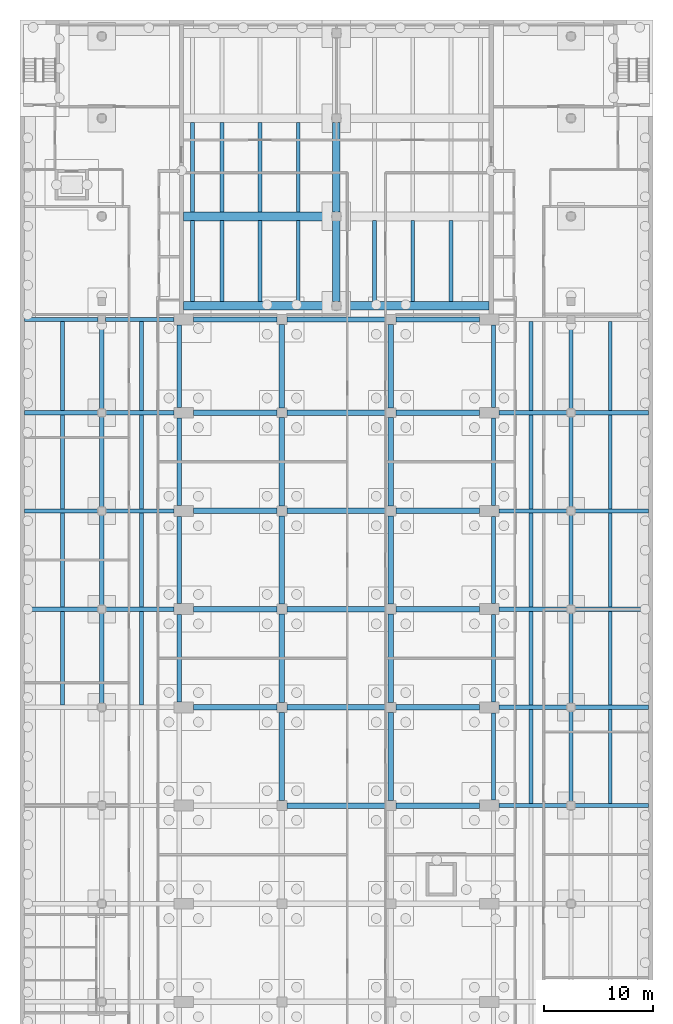
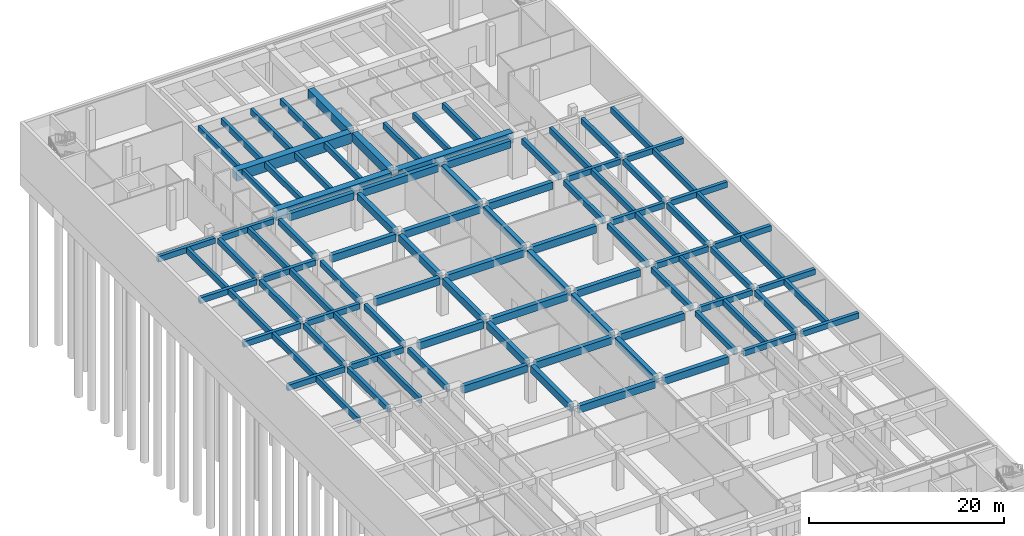
# One storey, part 5 of 19: 97 beams.
"""IFC4 building model written with IfcOpenShell, lengths in metres."""

from ifc_helpers import new_model, si_unit, direction, frame, origin, origin_2d, place, context, subcontext, project, spatial, rectangle, extrude, material, material_profile, profile_set, type_object, element, save


model = new_model("IFC4")

# Units and contexts
model_context = context("Model", 3, precision=1e-05, world=origin(), true_north=direction((0.0, 1.0)))
body_context = subcontext(model_context, "Body", "Model", "MODEL_VIEW")
ifc_project = project(units=[si_unit("LENGTHUNIT", "METRE"), si_unit("AREAUNIT", "SQUARE_METRE"), si_unit("VOLUMEUNIT", "CUBIC_METRE"), si_unit("PLANEANGLEUNIT", "RADIAN"), si_unit("MASSUNIT", "GRAM", prefix="KILO")], contexts=[model_context])

# Site, building, storey
site_placement = place(None, origin())
site = spatial("IfcSite", under=ifc_project, at=site_placement, CompositionType="ELEMENT")
building_placement = place(site_placement, origin())
building = spatial("IfcBuilding", under=site, at=building_placement, Name="Elmora Arch Market Hall", CompositionType="ELEMENT")
storey_placement = place(building_placement, frame((0.0, 0.0, -10.0)))
storey = spatial("IfcBuildingStorey", under=building, at=storey_placement, Name="B1", CompositionType="ELEMENT", Elevation=-10.0)

# Beams
ifc_material_1 = material(Name="Concrete C32/40", Category="concrete")
ifc_material_profile_1 = material_profile(ifc_material_1, rectangle(XDim=0.5, YDim=0.89990234375, at=origin_2d()), Name="Basement girder 500x900")
ifc_profile_set_1 = profile_set([ifc_material_profile_1], Name="Concrete C32/40")
beam_type_1 = type_object("IfcBeamType", Name="Basement girder 500x900", PredefinedType="BEAM", material=ifc_profile_set_1)
beam_1_placement = place(storey_placement, frame((24.449951171875, 54.0, 4.25), z_axis=(1.0, 0.0, 0.0), x_axis=(0.0, 1.0, 0.0)))
element("IfcBeam", 1, at=beam_1_placement, inside=storey, type_object=beam_type_1, Name="Basement girder HR4 B1.2", PredefinedType="BEAM", context=body_context, shape_type="SweptSolid", body=[
    extrude(rectangle(XDim=0.5, YDim=0.89990234375, at=origin_2d()), origin(), (0.0, 0.0, 1.0), 9.10009765625),
])
for number, where, z_axis, x_axis, name in (
    (2, (34.449951171875, 54.0, 4.25), (1.0, 0.0, 0.0), (0.0, 1.0, 0.0), "Basement girder HR4 B1.3"),
    (3, (15.89990234375, 63.0, 4.25), (1.0, 0.0, 0.0), (0.0, 1.0, 0.0), "Basement girder HR5 B1.1"),
):
    element("IfcBeam", number, at=place(storey_placement, frame(where, z_axis=z_axis, x_axis=x_axis)), inside=storey, type_object=beam_type_1, Name=name, PredefinedType="BEAM", context=body_context, shape_type="SweptSolid", body=[
        extrude(rectangle(XDim=0.5, YDim=0.89990234375, at=origin_2d()), origin(), (0.0, 0.0, 1.0), 7.650146484375),
    ])
beam_2_placement = place(storey_placement, frame((24.449951171875, 63.0, 4.25), z_axis=(1.0, 0.0, 0.0), x_axis=(0.0, 1.0, 0.0)))
element("IfcBeam", 4, at=beam_2_placement, inside=storey, type_object=beam_type_1, Name="Basement girder HR5 B1.2", PredefinedType="BEAM", context=body_context, shape_type="SweptSolid", body=[
    extrude(rectangle(XDim=0.5, YDim=0.89990234375, at=origin_2d()), origin(), (0.0, 0.0, 1.0), 9.10009765625),
])
for number, where, z_axis, x_axis, name in (
    (5, (34.449951171875, 63.0, 4.25), (1.0, 0.0, 0.0), (0.0, 1.0, 0.0), "Basement girder HR5 B1.3"),
    (6, (15.89990234375, 72.0, 4.25), (1.0, 0.0, 0.0), (0.0, 1.0, 0.0), "Basement girder HR6 B1.1"),
):
    element("IfcBeam", number, at=place(storey_placement, frame(where, z_axis=z_axis, x_axis=x_axis)), inside=storey, type_object=beam_type_1, Name=name, PredefinedType="BEAM", context=body_context, shape_type="SweptSolid", body=[
        extrude(rectangle(XDim=0.5, YDim=0.89990234375, at=origin_2d()), origin(), (0.0, 0.0, 1.0), 7.650146484375),
    ])
beam_3_placement = place(storey_placement, frame((24.449951171875, 72.0, 4.25), z_axis=(1.0, 0.0, 0.0), x_axis=(0.0, 1.0, 0.0)))
element("IfcBeam", 7, at=beam_3_placement, inside=storey, type_object=beam_type_1, Name="Basement girder HR6 B1.2", PredefinedType="BEAM", context=body_context, shape_type="SweptSolid", body=[
    extrude(rectangle(XDim=0.5, YDim=0.89990234375, at=origin_2d()), origin(), (0.0, 0.0, 1.0), 9.10009765625),
])
for number, where, z_axis, x_axis, name in (
    (8, (34.449951171875, 72.0, 4.25), (1.0, 0.0, 0.0), (0.0, 1.0, 0.0), "Basement girder HR6 B1.3"),
    (9, (15.89990234375, 81.0, 4.25), (1.0, 0.0, 0.0), (0.0, 1.0, 0.0), "Basement girder HR7 B1.1"),
):
    element("IfcBeam", number, at=place(storey_placement, frame(where, z_axis=z_axis, x_axis=x_axis)), inside=storey, type_object=beam_type_1, Name=name, PredefinedType="BEAM", context=body_context, shape_type="SweptSolid", body=[
        extrude(rectangle(XDim=0.5, YDim=0.89990234375, at=origin_2d()), origin(), (0.0, 0.0, 1.0), 7.650146484375),
    ])
beam_4_placement = place(storey_placement, frame((24.449951171875, 81.0, 4.25), z_axis=(1.0, 0.0, 0.0), x_axis=(0.0, 1.0, 0.0)))
element("IfcBeam", 10, at=beam_4_placement, inside=storey, type_object=beam_type_1, Name="Basement girder HR7 B1.2", PredefinedType="BEAM", context=body_context, shape_type="SweptSolid", body=[
    extrude(rectangle(XDim=0.5, YDim=0.89990234375, at=origin_2d()), origin(), (0.0, 0.0, 1.0), 9.10009765625),
])
for number, where, z_axis, x_axis, name in (
    (11, (34.449951171875, 81.0, 4.25), (1.0, 0.0, 0.0), (0.0, 1.0, 0.0), "Basement girder HR7 B1.3"),
    (12, (15.89990234375, 90.0, 4.25), (1.0, 0.0, 0.0), (0.0, 1.0, 0.0), "Basement girder HR8 B1.1"),
):
    element("IfcBeam", number, at=place(storey_placement, frame(where, z_axis=z_axis, x_axis=x_axis)), inside=storey, type_object=beam_type_1, Name=name, PredefinedType="BEAM", context=body_context, shape_type="SweptSolid", body=[
        extrude(rectangle(XDim=0.5, YDim=0.89990234375, at=origin_2d()), origin(), (0.0, 0.0, 1.0), 7.650146484375),
    ])
beam_5_placement = place(storey_placement, frame((24.449951171875, 90.0, 4.25), z_axis=(1.0, 0.0, 0.0), x_axis=(0.0, 1.0, 0.0)))
element("IfcBeam", 13, at=beam_5_placement, inside=storey, type_object=beam_type_1, Name="Basement girder HR8 B1.2", PredefinedType="BEAM", context=body_context, shape_type="SweptSolid", body=[
    extrude(rectangle(XDim=0.5, YDim=0.89990234375, at=origin_2d()), origin(), (0.0, 0.0, 1.0), 9.10009765625),
])
for number, where, z_axis, x_axis, name in (
    (14, (34.449951171875, 90.0, 4.25), (1.0, 0.0, 0.0), (0.0, 1.0, 0.0), "Basement girder HR8 B1.3"),
    (15, (15.89990234375, 98.550048828125, 4.25), (1.0, 0.0, 0.0), (0.0, 1.0, 0.0), "Basement girder HR9 B1.1"),
):
    element("IfcBeam", number, at=place(storey_placement, frame(where, z_axis=z_axis, x_axis=x_axis)), inside=storey, type_object=beam_type_1, Name=name, PredefinedType="BEAM", context=body_context, shape_type="SweptSolid", body=[
        extrude(rectangle(XDim=0.5, YDim=0.89990234375, at=origin_2d()), origin(), (0.0, 0.0, 1.0), 7.650146484375),
    ])
beam_6_placement = place(storey_placement, frame((24.449951171875, 98.550048828125, 4.25), z_axis=(1.0, 0.0, 0.0), x_axis=(0.0, 1.0, 0.0)))
element("IfcBeam", 16, at=beam_6_placement, inside=storey, type_object=beam_type_1, Name="Basement girder HR9 B1.2", PredefinedType="BEAM", context=body_context, shape_type="SweptSolid", body=[
    extrude(rectangle(XDim=0.5, YDim=0.89990234375, at=origin_2d()), origin(), (0.0, 0.0, 1.0), 9.10009765625),
])
beam_7_placement = place(storey_placement, frame((34.449951171875, 98.550048828125, 4.25), z_axis=(1.0, 0.0, 0.0), x_axis=(0.0, 1.0, 0.0)))
element("IfcBeam", 17, at=beam_7_placement, inside=storey, type_object=beam_type_1, Name="Basement girder HR9 B1.3", PredefinedType="BEAM", context=body_context, shape_type="SweptSolid", body=[
    extrude(rectangle(XDim=0.5, YDim=0.89990234375, at=origin_2d()), origin(), (0.0, 0.0, 1.0), 7.650146484375),
])
for number, where, z_axis, x_axis, name in (
    (18, (24.0, 54.449951171875, 4.25), (0.0, 1.0, 0.0), (-1.0, 0.0, 0.0), "Basement girder HC1 B1.4"),
    (19, (24.0, 63.449951171875, 4.25), (0.0, 1.0, 0.0), (-1.0, 0.0, 0.0), "Basement girder HC1 B1.5"),
    (20, (24.0, 72.449951171875, 4.25), (0.0, 1.0, 0.0), (-1.0, 0.0, 0.0), "Basement girder HC1 B1.6"),
    (21, (24.0, 81.449951171875, 4.25), (0.0, 1.0, 0.0), (-1.0, 0.0, 0.0), "Basement girder HC1 B1.7"),
):
    element("IfcBeam", number, at=place(storey_placement, frame(where, z_axis=z_axis, x_axis=x_axis)), inside=storey, type_object=beam_type_1, Name=name, PredefinedType="BEAM", context=body_context, shape_type="SweptSolid", body=[
        extrude(rectangle(XDim=0.5, YDim=0.89990234375, at=origin_2d()), origin(), (0.0, 0.0, 1.0), 8.10009765625),
    ])
beam_8_placement = place(storey_placement, frame((24.0, 90.449951171875, 4.25), z_axis=(0.0, 1.0, 0.0), x_axis=(-1.0, 0.0, 0.0)))
element("IfcBeam", 22, at=beam_8_placement, inside=storey, type_object=beam_type_1, Name="Basement girder HC1 B1.8", PredefinedType="BEAM", context=body_context, shape_type="SweptSolid", body=[
    extrude(rectangle(XDim=0.5, YDim=0.89990234375, at=origin_2d()), origin(), (0.0, 0.0, 1.0), 7.650146484375),
])
for number, where, z_axis, x_axis, name in (
    (23, (34.0, 54.449951171875, 4.25), (0.0, 1.0, 0.0), (-1.0, 0.0, 0.0), "Basement girder HC2 B1.4"),
    (24, (34.0, 63.449951171875, 4.25), (0.0, 1.0, 0.0), (-1.0, 0.0, 0.0), "Basement girder HC2 B1.5"),
    (25, (34.0, 72.449951171875, 4.25), (0.0, 1.0, 0.0), (-1.0, 0.0, 0.0), "Basement girder HC2 B1.6"),
    (26, (34.0, 81.449951171875, 4.25), (0.0, 1.0, 0.0), (-1.0, 0.0, 0.0), "Basement girder HC2 B1.7"),
):
    element("IfcBeam", number, at=place(storey_placement, frame(where, z_axis=z_axis, x_axis=x_axis)), inside=storey, type_object=beam_type_1, Name=name, PredefinedType="BEAM", context=body_context, shape_type="SweptSolid", body=[
        extrude(rectangle(XDim=0.5, YDim=0.89990234375, at=origin_2d()), origin(), (0.0, 0.0, 1.0), 8.10009765625),
    ])
beam_9_placement = place(storey_placement, frame((34.0, 90.449951171875, 4.25), z_axis=(0.0, 1.0, 0.0), x_axis=(-1.0, 0.0, 0.0)))
element("IfcBeam", 27, at=beam_9_placement, inside=storey, type_object=beam_type_1, Name="Basement girder HC2 B1.8", PredefinedType="BEAM", context=body_context, shape_type="SweptSolid", body=[
    extrude(rectangle(XDim=0.5, YDim=0.89990234375, at=origin_2d()), origin(), (0.0, 0.0, 1.0), 7.650146484375),
])
ifc_material_2 = material(Name="Concrete C32/40", Category="concrete")
ifc_material_profile_2 = material_profile(ifc_material_2, rectangle(XDim=0.800048828125, YDim=1.300048828125, at=origin_2d()), Name="Bridge girder 800x1300")
ifc_profile_set_2 = profile_set([ifc_material_profile_2], Name="Concrete C32/40")
beam_type_2 = type_object("IfcBeamType", Name="Bridge girder 800x1300", PredefinedType="BEAM", material=ifc_profile_set_2)
for number, where, z_axis, x_axis, name in (
    (28, (15.0, 99.800048828125, 4.10009765625), (1.0, 0.0, 0.0), (0.0, 1.0, 0.0), "Bridge girder NR1 B1.1"),
    (29, (29.39990234375, 99.800048828125, 4.10009765625), (1.0, 0.0, 0.0), (0.0, 1.0, 0.0), "Bridge girder NR1 B1.2"),
    (30, (15.0, 108.0, 4.10009765625), (1.0, 0.0, 0.0), (0.0, 1.0, 0.0), "Bridge girder NR2 B1.1"),
):
    element("IfcBeam", number, at=place(storey_placement, frame(where, z_axis=z_axis, x_axis=x_axis)), inside=storey, type_object=beam_type_2, Name=name, PredefinedType="BEAM", context=body_context, shape_type="SweptSolid", body=[
        extrude(rectangle(XDim=0.800048828125, YDim=1.300048828125, at=origin_2d()), origin(), (0.0, 0.0, 1.0), 13.60009765625),
    ])
ifc_material_3 = material(Name="Concrete C32/40", Category="concrete")
ifc_material_profile_3 = material_profile(ifc_material_3, rectangle(XDim=0.35009765625, YDim=0.75, at=origin_2d()), Name="Bridge joist 350x750")
ifc_profile_set_3 = profile_set([ifc_material_profile_3], Name="Concrete C32/40")
beam_type_3 = type_object("IfcBeamType", Name="Bridge joist 350x750", PredefinedType="JOIST", material=ifc_profile_set_3)
beam_10_placement = place(storey_placement, frame((15.800048828125, 100.199951171875, 4.375), z_axis=(0.0, 1.0, 0.0), x_axis=(-1.0, 0.0, 0.0)))
element("IfcBeam", 31, at=beam_10_placement, inside=storey, type_object=beam_type_3, Name="Bridge joist NJ1 B1.1", PredefinedType="JOIST", context=body_context, shape_type="SweptSolid", body=[
    extrude(rectangle(XDim=0.35009765625, YDim=0.75, at=origin_2d()), origin(), (0.0, 0.0, 1.0), 7.400146484375),
])
beam_11_placement = place(storey_placement, frame((15.800048828125, 108.39990234375, 4.375), z_axis=(0.0, 1.0, 0.0), x_axis=(-1.0, 0.0, 0.0)))
element("IfcBeam", 32, at=beam_11_placement, inside=storey, type_object=beam_type_3, Name="Bridge joist NJ1 B1.2", PredefinedType="JOIST", context=body_context, shape_type="SweptSolid", body=[
    extrude(rectangle(XDim=0.35009765625, YDim=0.75, at=origin_2d()), origin(), (0.0, 0.0, 1.0), 8.2001953125),
])
beam_12_placement = place(storey_placement, frame((18.5, 100.199951171875, 4.375), z_axis=(0.0, 1.0, 0.0), x_axis=(-1.0, 0.0, 0.0)))
element("IfcBeam", 33, at=beam_12_placement, inside=storey, type_object=beam_type_3, Name="Bridge joist NJ2 B1.1", PredefinedType="JOIST", context=body_context, shape_type="SweptSolid", body=[
    extrude(rectangle(XDim=0.35009765625, YDim=0.75, at=origin_2d()), origin(), (0.0, 0.0, 1.0), 7.400146484375),
])
beam_13_placement = place(storey_placement, frame((18.5, 108.39990234375, 4.375), z_axis=(0.0, 1.0, 0.0), x_axis=(-1.0, 0.0, 0.0)))
element("IfcBeam", 34, at=beam_13_placement, inside=storey, type_object=beam_type_3, Name="Bridge joist NJ2 B1.2", PredefinedType="JOIST", context=body_context, shape_type="SweptSolid", body=[
    extrude(rectangle(XDim=0.35009765625, YDim=0.75, at=origin_2d()), origin(), (0.0, 0.0, 1.0), 8.2001953125),
])
beam_14_placement = place(storey_placement, frame((22.0, 100.199951171875, 4.375), z_axis=(0.0, 1.0, 0.0), x_axis=(-1.0, 0.0, 0.0)))
element("IfcBeam", 35, at=beam_14_placement, inside=storey, type_object=beam_type_3, Name="Bridge joist NJ3 B1.1", PredefinedType="JOIST", context=body_context, shape_type="SweptSolid", body=[
    extrude(rectangle(XDim=0.35009765625, YDim=0.75, at=origin_2d()), origin(), (0.0, 0.0, 1.0), 7.400146484375),
])
beam_15_placement = place(storey_placement, frame((22.0, 108.39990234375, 4.375), z_axis=(0.0, 1.0, 0.0), x_axis=(-1.0, 0.0, 0.0)))
element("IfcBeam", 36, at=beam_15_placement, inside=storey, type_object=beam_type_3, Name="Bridge joist NJ3 B1.2", PredefinedType="JOIST", context=body_context, shape_type="SweptSolid", body=[
    extrude(rectangle(XDim=0.35009765625, YDim=0.75, at=origin_2d()), origin(), (0.0, 0.0, 1.0), 8.2001953125),
])
beam_16_placement = place(storey_placement, frame((25.5, 100.199951171875, 4.375), z_axis=(0.0, 1.0, 0.0), x_axis=(-1.0, 0.0, 0.0)))
element("IfcBeam", 37, at=beam_16_placement, inside=storey, type_object=beam_type_3, Name="Bridge joist NJ4 B1.1", PredefinedType="JOIST", context=body_context, shape_type="SweptSolid", body=[
    extrude(rectangle(XDim=0.35009765625, YDim=0.75, at=origin_2d()), origin(), (0.0, 0.0, 1.0), 7.400146484375),
])
beam_17_placement = place(storey_placement, frame((25.5, 108.39990234375, 4.375), z_axis=(0.0, 1.0, 0.0), x_axis=(-1.0, 0.0, 0.0)))
element("IfcBeam", 38, at=beam_17_placement, inside=storey, type_object=beam_type_3, Name="Bridge joist NJ4 B1.2", PredefinedType="JOIST", context=body_context, shape_type="SweptSolid", body=[
    extrude(rectangle(XDim=0.35009765625, YDim=0.75, at=origin_2d()), origin(), (0.0, 0.0, 1.0), 8.2001953125),
])
for number, where, z_axis, x_axis, name in (
    (39, (32.5, 100.199951171875, 4.375), (0.0, 1.0, 0.0), (-1.0, 0.0, 0.0), "Bridge joist NJ5 B1.1"),
    (40, (36.0, 100.199951171875, 4.375), (0.0, 1.0, 0.0), (-1.0, 0.0, 0.0), "Bridge joist NJ6 B1.1"),
    (41, (39.5, 100.199951171875, 4.375), (0.0, 1.0, 0.0), (-1.0, 0.0, 0.0), "Bridge joist NJ7 B1.1"),
):
    element("IfcBeam", number, at=place(storey_placement, frame(where, z_axis=z_axis, x_axis=x_axis)), inside=storey, type_object=beam_type_3, Name=name, PredefinedType="JOIST", context=body_context, shape_type="SweptSolid", body=[
        extrude(rectangle(XDim=0.35009765625, YDim=0.75, at=origin_2d()), origin(), (0.0, 0.0, 1.0), 7.400146484375),
    ])
ifc_material_4 = material(Name="Concrete C32/40", Category="concrete")
ifc_material_profile_4 = material_profile(ifc_material_4, rectangle(XDim=0.699951171875, YDim=1.10009765625, at=origin_2d()), Name="Spine girder 700x1100")
ifc_profile_set_4 = profile_set([ifc_material_profile_4], Name="Concrete C32/40")
beam_type_4 = type_object("IfcBeamType", Name="Spine girder 700x1100", PredefinedType="BEAM", material=ifc_profile_set_4)
beam_18_placement = place(storey_placement, frame((29.0, 100.199951171875, 4.199951171875), z_axis=(0.0, 1.0, 0.0), x_axis=(-1.0, 0.0, 0.0)))
element("IfcBeam", 42, at=beam_18_placement, inside=storey, type_object=beam_type_4, Name="Spine girder NSP B1.1", PredefinedType="BEAM", context=body_context, shape_type="SweptSolid", body=[
    extrude(rectangle(XDim=0.699951171875, YDim=1.10009765625, at=origin_2d()), origin(), (0.0, 0.0, 1.0), 7.400146484375),
])
beam_19_placement = place(storey_placement, frame((29.0, 108.39990234375, 4.199951171875), z_axis=(0.0, 1.0, 0.0), x_axis=(-1.0, 0.0, 0.0)))
element("IfcBeam", 43, at=beam_19_placement, inside=storey, type_object=beam_type_4, Name="Spine girder NSP B1.2", PredefinedType="BEAM", context=body_context, shape_type="SweptSolid", body=[
    extrude(rectangle(XDim=0.699951171875, YDim=1.10009765625, at=origin_2d()), origin(), (0.0, 0.0, 1.0), 8.2001953125),
])
ifc_material_5 = material(Name="Concrete C32/40", Category="concrete")
ifc_material_profile_5 = material_profile(ifc_material_5, rectangle(XDim=0.39990234375, YDim=0.699951171875, at=origin_2d()), Name="Wing beam 400x700")
ifc_profile_set_5 = profile_set([ifc_material_profile_5], Name="Concrete C32/40")
beam_type_5 = type_object("IfcBeamType", Name="Wing beam 400x700", PredefinedType="BEAM", material=ifc_profile_set_5)
beam_20_placement = place(storey_placement, frame((0.39990234375, 72.0, 4.39990234375), z_axis=(1.0, 0.0, 0.0), x_axis=(0.0, 1.0, 0.0)))
element("IfcBeam", 44, at=beam_20_placement, inside=storey, type_object=beam_type_5, Name="Wing beam WR6 B1.1", PredefinedType="BEAM", context=body_context, shape_type="SweptSolid", body=[
    extrude(rectangle(XDim=0.39990234375, YDim=0.699951171875, at=origin_2d()), origin(), (0.0, 0.0, 1.0), 6.75),
])
beam_21_placement = place(storey_placement, frame((7.85009765625, 72.0, 4.39990234375), z_axis=(1.0, 0.0, 0.0), x_axis=(0.0, 1.0, 0.0)))
element("IfcBeam", 45, at=beam_21_placement, inside=storey, type_object=beam_type_5, Name="Wing beam WR6 B1.2", PredefinedType="BEAM", context=body_context, shape_type="SweptSolid", body=[
    extrude(rectangle(XDim=0.39990234375, YDim=0.699951171875, at=origin_2d()), origin(), (0.0, 0.0, 1.0), 6.25),
])
beam_22_placement = place(storey_placement, frame((0.39990234375, 81.0, 4.39990234375), z_axis=(1.0, 0.0, 0.0), x_axis=(0.0, 1.0, 0.0)))
element("IfcBeam", 46, at=beam_22_placement, inside=storey, type_object=beam_type_5, Name="Wing beam WR7 B1.1", PredefinedType="BEAM", context=body_context, shape_type="SweptSolid", body=[
    extrude(rectangle(XDim=0.39990234375, YDim=0.699951171875, at=origin_2d()), origin(), (0.0, 0.0, 1.0), 6.75),
])
beam_23_placement = place(storey_placement, frame((7.85009765625, 81.0, 4.39990234375), z_axis=(1.0, 0.0, 0.0), x_axis=(0.0, 1.0, 0.0)))
element("IfcBeam", 47, at=beam_23_placement, inside=storey, type_object=beam_type_5, Name="Wing beam WR7 B1.2", PredefinedType="BEAM", context=body_context, shape_type="SweptSolid", body=[
    extrude(rectangle(XDim=0.39990234375, YDim=0.699951171875, at=origin_2d()), origin(), (0.0, 0.0, 1.0), 6.25),
])
beam_24_placement = place(storey_placement, frame((0.39990234375, 90.0, 4.39990234375), z_axis=(1.0, 0.0, 0.0), x_axis=(0.0, 1.0, 0.0)))
element("IfcBeam", 48, at=beam_24_placement, inside=storey, type_object=beam_type_5, Name="Wing beam WR8 B1.1", PredefinedType="BEAM", context=body_context, shape_type="SweptSolid", body=[
    extrude(rectangle(XDim=0.39990234375, YDim=0.699951171875, at=origin_2d()), origin(), (0.0, 0.0, 1.0), 6.75),
])
beam_25_placement = place(storey_placement, frame((7.85009765625, 90.0, 4.39990234375), z_axis=(1.0, 0.0, 0.0), x_axis=(0.0, 1.0, 0.0)))
element("IfcBeam", 49, at=beam_25_placement, inside=storey, type_object=beam_type_5, Name="Wing beam WR8 B1.2", PredefinedType="BEAM", context=body_context, shape_type="SweptSolid", body=[
    extrude(rectangle(XDim=0.39990234375, YDim=0.699951171875, at=origin_2d()), origin(), (0.0, 0.0, 1.0), 6.25),
])
beam_26_placement = place(storey_placement, frame((0.39990234375, 98.550048828125, 4.39990234375), z_axis=(1.0, 0.0, 0.0), x_axis=(0.0, 1.0, 0.0)))
element("IfcBeam", 50, at=beam_26_placement, inside=storey, type_object=beam_type_5, Name="Wing beam WR9 B1.1", PredefinedType="BEAM", context=body_context, shape_type="SweptSolid", body=[
    extrude(rectangle(XDim=0.39990234375, YDim=0.699951171875, at=origin_2d()), origin(), (0.0, 0.0, 1.0), 6.75),
])
beam_27_placement = place(storey_placement, frame((7.85009765625, 98.550048828125, 4.39990234375), z_axis=(1.0, 0.0, 0.0), x_axis=(0.0, 1.0, 0.0)))
element("IfcBeam", 51, at=beam_27_placement, inside=storey, type_object=beam_type_5, Name="Wing beam WR9 B1.2", PredefinedType="BEAM", context=body_context, shape_type="SweptSolid", body=[
    extrude(rectangle(XDim=0.39990234375, YDim=0.699951171875, at=origin_2d()), origin(), (0.0, 0.0, 1.0), 6.25),
])
for number, where, z_axis, x_axis, name in (
    (52, (7.5, 63.35009765625, 4.39990234375), (0.0, 1.0, 0.0), (-1.0, 0.0, 0.0), "Wing beam WG B1.5"),
    (53, (7.5, 72.35009765625, 4.39990234375), (0.0, 1.0, 0.0), (-1.0, 0.0, 0.0), "Wing beam WG B1.6"),
    (54, (7.5, 81.35009765625, 4.39990234375), (0.0, 1.0, 0.0), (-1.0, 0.0, 0.0), "Wing beam WG B1.7"),
):
    element("IfcBeam", number, at=place(storey_placement, frame(where, z_axis=z_axis, x_axis=x_axis)), inside=storey, type_object=beam_type_5, Name=name, PredefinedType="BEAM", context=body_context, shape_type="SweptSolid", body=[
        extrude(rectangle(XDim=0.39990234375, YDim=0.699951171875, at=origin_2d()), origin(), (0.0, 0.0, 1.0), 8.2998046875),
    ])
beam_28_placement = place(storey_placement, frame((7.5, 90.35009765625, 4.39990234375), z_axis=(0.0, 1.0, 0.0), x_axis=(-1.0, 0.0, 0.0)))
element("IfcBeam", 55, at=beam_28_placement, inside=storey, type_object=beam_type_5, Name="Wing beam WG B1.8", PredefinedType="BEAM", context=body_context, shape_type="SweptSolid", body=[
    extrude(rectangle(XDim=0.39990234375, YDim=0.699951171875, at=origin_2d()), origin(), (0.0, 0.0, 1.0), 7.849853515625),
])
for number, where, z_axis, x_axis, name in (
    (56, (14.60009765625, 63.5, 4.39990234375), (0.0, 1.0, 0.0), (-1.0, 0.0, 0.0), "Wing beam WEB B1.5"),
    (57, (14.60009765625, 72.5, 4.39990234375), (0.0, 1.0, 0.0), (-1.0, 0.0, 0.0), "Wing beam WEB B1.6"),
    (58, (14.60009765625, 81.5, 4.39990234375), (0.0, 1.0, 0.0), (-1.0, 0.0, 0.0), "Wing beam WEB B1.7"),
):
    element("IfcBeam", number, at=place(storey_placement, frame(where, z_axis=z_axis, x_axis=x_axis)), inside=storey, type_object=beam_type_5, Name=name, PredefinedType="BEAM", context=body_context, shape_type="SweptSolid", body=[
        extrude(rectangle(XDim=0.39990234375, YDim=0.699951171875, at=origin_2d()), origin(), (0.0, 0.0, 1.0), 8.0),
    ])
beam_29_placement = place(storey_placement, frame((14.60009765625, 90.5, 4.39990234375), z_axis=(0.0, 1.0, 0.0), x_axis=(-1.0, 0.0, 0.0)))
element("IfcBeam", 59, at=beam_29_placement, inside=storey, type_object=beam_type_5, Name="Wing beam WEB B1.8", PredefinedType="BEAM", context=body_context, shape_type="SweptSolid", body=[
    extrude(rectangle(XDim=0.39990234375, YDim=0.699951171875, at=origin_2d()), origin(), (0.0, 0.0, 1.0), 7.550048828125),
])
beam_30_placement = place(storey_placement, frame((43.89990234375, 54.0, 4.39990234375), z_axis=(1.0, 0.0, 0.0), x_axis=(0.0, 1.0, 0.0)))
element("IfcBeam", 60, at=beam_30_placement, inside=storey, type_object=beam_type_5, Name="Wing beam ER4 B1.1", PredefinedType="BEAM", context=body_context, shape_type="SweptSolid", body=[
    extrude(rectangle(XDim=0.39990234375, YDim=0.699951171875, at=origin_2d()), origin(), (0.0, 0.0, 1.0), 6.25),
])
beam_31_placement = place(storey_placement, frame((50.85009765625, 54.0, 4.39990234375), z_axis=(1.0, 0.0, 0.0), x_axis=(0.0, 1.0, 0.0)))
element("IfcBeam", 61, at=beam_31_placement, inside=storey, type_object=beam_type_5, Name="Wing beam ER4 B1.2", PredefinedType="BEAM", context=body_context, shape_type="SweptSolid", body=[
    extrude(rectangle(XDim=0.39990234375, YDim=0.699951171875, at=origin_2d()), origin(), (0.0, 0.0, 1.0), 6.75),
])
beam_32_placement = place(storey_placement, frame((43.89990234375, 63.0, 4.39990234375), z_axis=(1.0, 0.0, 0.0), x_axis=(0.0, 1.0, 0.0)))
element("IfcBeam", 62, at=beam_32_placement, inside=storey, type_object=beam_type_5, Name="Wing beam ER5 B1.1", PredefinedType="BEAM", context=body_context, shape_type="SweptSolid", body=[
    extrude(rectangle(XDim=0.39990234375, YDim=0.699951171875, at=origin_2d()), origin(), (0.0, 0.0, 1.0), 6.25),
])
beam_33_placement = place(storey_placement, frame((50.85009765625, 63.0, 4.39990234375), z_axis=(1.0, 0.0, 0.0), x_axis=(0.0, 1.0, 0.0)))
element("IfcBeam", 63, at=beam_33_placement, inside=storey, type_object=beam_type_5, Name="Wing beam ER5 B1.2", PredefinedType="BEAM", context=body_context, shape_type="SweptSolid", body=[
    extrude(rectangle(XDim=0.39990234375, YDim=0.699951171875, at=origin_2d()), origin(), (0.0, 0.0, 1.0), 6.75),
])
beam_34_placement = place(storey_placement, frame((43.89990234375, 72.0, 4.39990234375), z_axis=(1.0, 0.0, 0.0), x_axis=(0.0, 1.0, 0.0)))
element("IfcBeam", 64, at=beam_34_placement, inside=storey, type_object=beam_type_5, Name="Wing beam ER6 B1.1", PredefinedType="BEAM", context=body_context, shape_type="SweptSolid", body=[
    extrude(rectangle(XDim=0.39990234375, YDim=0.699951171875, at=origin_2d()), origin(), (0.0, 0.0, 1.0), 6.25),
])
beam_35_placement = place(storey_placement, frame((50.85009765625, 72.0, 4.39990234375), z_axis=(1.0, 0.0, 0.0), x_axis=(0.0, 1.0, 0.0)))
element("IfcBeam", 65, at=beam_35_placement, inside=storey, type_object=beam_type_5, Name="Wing beam ER6 B1.2", PredefinedType="BEAM", context=body_context, shape_type="SweptSolid", body=[
    extrude(rectangle(XDim=0.39990234375, YDim=0.699951171875, at=origin_2d()), origin(), (0.0, 0.0, 1.0), 6.75),
])
beam_36_placement = place(storey_placement, frame((43.89990234375, 81.0, 4.39990234375), z_axis=(1.0, 0.0, 0.0), x_axis=(0.0, 1.0, 0.0)))
element("IfcBeam", 66, at=beam_36_placement, inside=storey, type_object=beam_type_5, Name="Wing beam ER7 B1.1", PredefinedType="BEAM", context=body_context, shape_type="SweptSolid", body=[
    extrude(rectangle(XDim=0.39990234375, YDim=0.699951171875, at=origin_2d()), origin(), (0.0, 0.0, 1.0), 6.25),
])
beam_37_placement = place(storey_placement, frame((50.85009765625, 81.0, 4.39990234375), z_axis=(1.0, 0.0, 0.0), x_axis=(0.0, 1.0, 0.0)))
element("IfcBeam", 67, at=beam_37_placement, inside=storey, type_object=beam_type_5, Name="Wing beam ER7 B1.2", PredefinedType="BEAM", context=body_context, shape_type="SweptSolid", body=[
    extrude(rectangle(XDim=0.39990234375, YDim=0.699951171875, at=origin_2d()), origin(), (0.0, 0.0, 1.0), 6.75),
])
beam_38_placement = place(storey_placement, frame((43.89990234375, 90.0, 4.39990234375), z_axis=(1.0, 0.0, 0.0), x_axis=(0.0, 1.0, 0.0)))
element("IfcBeam", 68, at=beam_38_placement, inside=storey, type_object=beam_type_5, Name="Wing beam ER8 B1.1", PredefinedType="BEAM", context=body_context, shape_type="SweptSolid", body=[
    extrude(rectangle(XDim=0.39990234375, YDim=0.699951171875, at=origin_2d()), origin(), (0.0, 0.0, 1.0), 6.25),
])
beam_39_placement = place(storey_placement, frame((50.85009765625, 90.0, 4.39990234375), z_axis=(1.0, 0.0, 0.0), x_axis=(0.0, 1.0, 0.0)))
element("IfcBeam", 69, at=beam_39_placement, inside=storey, type_object=beam_type_5, Name="Wing beam ER8 B1.2", PredefinedType="BEAM", context=body_context, shape_type="SweptSolid", body=[
    extrude(rectangle(XDim=0.39990234375, YDim=0.699951171875, at=origin_2d()), origin(), (0.0, 0.0, 1.0), 6.75),
])
for number, where, z_axis, x_axis, name in (
    (70, (50.5, 54.35009765625, 4.39990234375), (0.0, 1.0, 0.0), (-1.0, 0.0, 0.0), "Wing beam EG B1.4"),
    (71, (50.5, 63.35009765625, 4.39990234375), (0.0, 1.0, 0.0), (-1.0, 0.0, 0.0), "Wing beam EG B1.5"),
    (72, (50.5, 72.35009765625, 4.39990234375), (0.0, 1.0, 0.0), (-1.0, 0.0, 0.0), "Wing beam EG B1.6"),
    (73, (50.5, 81.35009765625, 4.39990234375), (0.0, 1.0, 0.0), (-1.0, 0.0, 0.0), "Wing beam EG B1.7"),
):
    element("IfcBeam", number, at=place(storey_placement, frame(where, z_axis=z_axis, x_axis=x_axis)), inside=storey, type_object=beam_type_5, Name=name, PredefinedType="BEAM", context=body_context, shape_type="SweptSolid", body=[
        extrude(rectangle(XDim=0.39990234375, YDim=0.699951171875, at=origin_2d()), origin(), (0.0, 0.0, 1.0), 8.2998046875),
    ])
beam_40_placement = place(storey_placement, frame((50.5, 90.35009765625, 4.39990234375), z_axis=(0.0, 1.0, 0.0), x_axis=(-1.0, 0.0, 0.0)))
element("IfcBeam", 74, at=beam_40_placement, inside=storey, type_object=beam_type_5, Name="Wing beam EG B1.8", PredefinedType="BEAM", context=body_context, shape_type="SweptSolid", body=[
    extrude(rectangle(XDim=0.39990234375, YDim=0.699951171875, at=origin_2d()), origin(), (0.0, 0.0, 1.0), 7.849853515625),
])
for number, where, z_axis, x_axis, name in (
    (75, (43.39990234375, 54.5, 4.39990234375), (0.0, 1.0, 0.0), (-1.0, 0.0, 0.0), "Wing beam EEB B1.4"),
    (76, (43.39990234375, 63.5, 4.39990234375), (0.0, 1.0, 0.0), (-1.0, 0.0, 0.0), "Wing beam EEB B1.5"),
    (77, (43.39990234375, 72.5, 4.39990234375), (0.0, 1.0, 0.0), (-1.0, 0.0, 0.0), "Wing beam EEB B1.6"),
    (78, (43.39990234375, 81.5, 4.39990234375), (0.0, 1.0, 0.0), (-1.0, 0.0, 0.0), "Wing beam EEB B1.7"),
):
    element("IfcBeam", number, at=place(storey_placement, frame(where, z_axis=z_axis, x_axis=x_axis)), inside=storey, type_object=beam_type_5, Name=name, PredefinedType="BEAM", context=body_context, shape_type="SweptSolid", body=[
        extrude(rectangle(XDim=0.39990234375, YDim=0.699951171875, at=origin_2d()), origin(), (0.0, 0.0, 1.0), 8.0),
    ])
beam_41_placement = place(storey_placement, frame((43.39990234375, 90.5, 4.39990234375), z_axis=(0.0, 1.0, 0.0), x_axis=(-1.0, 0.0, 0.0)))
element("IfcBeam", 79, at=beam_41_placement, inside=storey, type_object=beam_type_5, Name="Wing beam EEB B1.8", PredefinedType="BEAM", context=body_context, shape_type="SweptSolid", body=[
    extrude(rectangle(XDim=0.39990234375, YDim=0.699951171875, at=origin_2d()), origin(), (0.0, 0.0, 1.0), 7.550048828125),
])
ifc_material_6 = material(Name="Concrete C32/40", Category="concrete")
ifc_material_profile_6 = material_profile(ifc_material_6, rectangle(XDim=0.35009765625, YDim=0.75, at=origin_2d()), Name="Wing joist 350x750")
ifc_profile_set_6 = profile_set([ifc_material_profile_6], Name="Concrete C32/40")
beam_type_6 = type_object("IfcBeamType", Name="Wing joist 350x750", PredefinedType="JOIST", material=ifc_profile_set_6)
for number, where, z_axis, x_axis, name in (
    (80, (3.89990234375, 63.199951171875, 4.375), (0.0, 1.0, 0.0), (-1.0, 0.0, 0.0), "Wing joist WJ1 B1.5"),
    (81, (3.89990234375, 72.199951171875, 4.375), (0.0, 1.0, 0.0), (-1.0, 0.0, 0.0), "Wing joist WJ1 B1.6"),
    (82, (3.89990234375, 81.199951171875, 4.375), (0.0, 1.0, 0.0), (-1.0, 0.0, 0.0), "Wing joist WJ1 B1.7"),
):
    element("IfcBeam", number, at=place(storey_placement, frame(where, z_axis=z_axis, x_axis=x_axis)), inside=storey, type_object=beam_type_6, Name=name, PredefinedType="JOIST", context=body_context, shape_type="SweptSolid", body=[
        extrude(rectangle(XDim=0.35009765625, YDim=0.75, at=origin_2d()), origin(), (0.0, 0.0, 1.0), 8.60009765625),
    ])
beam_42_placement = place(storey_placement, frame((3.89990234375, 90.199951171875, 4.375), z_axis=(0.0, 1.0, 0.0), x_axis=(-1.0, 0.0, 0.0)))
element("IfcBeam", 83, at=beam_42_placement, inside=storey, type_object=beam_type_6, Name="Wing joist WJ1 B1.8", PredefinedType="JOIST", context=body_context, shape_type="SweptSolid", body=[
    extrude(rectangle(XDim=0.35009765625, YDim=0.75, at=origin_2d()), origin(), (0.0, 0.0, 1.0), 8.150146484375),
])
for number, where, z_axis, x_axis, name in (
    (84, (11.14990234375, 63.199951171875, 4.375), (0.0, 1.0, 0.0), (-1.0, 0.0, 0.0), "Wing joist WJ2 B1.5"),
    (85, (11.14990234375, 72.199951171875, 4.375), (0.0, 1.0, 0.0), (-1.0, 0.0, 0.0), "Wing joist WJ2 B1.6"),
    (86, (11.14990234375, 81.199951171875, 4.375), (0.0, 1.0, 0.0), (-1.0, 0.0, 0.0), "Wing joist WJ2 B1.7"),
):
    element("IfcBeam", number, at=place(storey_placement, frame(where, z_axis=z_axis, x_axis=x_axis)), inside=storey, type_object=beam_type_6, Name=name, PredefinedType="JOIST", context=body_context, shape_type="SweptSolid", body=[
        extrude(rectangle(XDim=0.35009765625, YDim=0.75, at=origin_2d()), origin(), (0.0, 0.0, 1.0), 8.60009765625),
    ])
beam_43_placement = place(storey_placement, frame((11.14990234375, 90.199951171875, 4.375), z_axis=(0.0, 1.0, 0.0), x_axis=(-1.0, 0.0, 0.0)))
element("IfcBeam", 87, at=beam_43_placement, inside=storey, type_object=beam_type_6, Name="Wing joist WJ2 B1.8", PredefinedType="JOIST", context=body_context, shape_type="SweptSolid", body=[
    extrude(rectangle(XDim=0.35009765625, YDim=0.75, at=origin_2d()), origin(), (0.0, 0.0, 1.0), 8.150146484375),
])
for number, where, z_axis, x_axis, name in (
    (88, (46.85009765625, 54.199951171875, 4.375), (0.0, 1.0, 0.0), (-1.0, 0.0, 0.0), "Wing joist EJ1 B1.4"),
    (89, (46.85009765625, 63.199951171875, 4.375), (0.0, 1.0, 0.0), (-1.0, 0.0, 0.0), "Wing joist EJ1 B1.5"),
    (90, (46.85009765625, 72.199951171875, 4.375), (0.0, 1.0, 0.0), (-1.0, 0.0, 0.0), "Wing joist EJ1 B1.6"),
    (91, (46.85009765625, 81.199951171875, 4.375), (0.0, 1.0, 0.0), (-1.0, 0.0, 0.0), "Wing joist EJ1 B1.7"),
):
    element("IfcBeam", number, at=place(storey_placement, frame(where, z_axis=z_axis, x_axis=x_axis)), inside=storey, type_object=beam_type_6, Name=name, PredefinedType="JOIST", context=body_context, shape_type="SweptSolid", body=[
        extrude(rectangle(XDim=0.35009765625, YDim=0.75, at=origin_2d()), origin(), (0.0, 0.0, 1.0), 8.60009765625),
    ])
beam_44_placement = place(storey_placement, frame((46.85009765625, 90.199951171875, 4.375), z_axis=(0.0, 1.0, 0.0), x_axis=(-1.0, 0.0, 0.0)))
element("IfcBeam", 92, at=beam_44_placement, inside=storey, type_object=beam_type_6, Name="Wing joist EJ1 B1.8", PredefinedType="JOIST", context=body_context, shape_type="SweptSolid", body=[
    extrude(rectangle(XDim=0.35009765625, YDim=0.75, at=origin_2d()), origin(), (0.0, 0.0, 1.0), 8.150146484375),
])
for number, where, z_axis, x_axis, name in (
    (93, (54.10009765625, 54.199951171875, 4.375), (0.0, 1.0, 0.0), (-1.0, 0.0, 0.0), "Wing joist EJ2 B1.4"),
    (94, (54.10009765625, 63.199951171875, 4.375), (0.0, 1.0, 0.0), (-1.0, 0.0, 0.0), "Wing joist EJ2 B1.5"),
    (95, (54.10009765625, 72.199951171875, 4.375), (0.0, 1.0, 0.0), (-1.0, 0.0, 0.0), "Wing joist EJ2 B1.6"),
    (96, (54.10009765625, 81.199951171875, 4.375), (0.0, 1.0, 0.0), (-1.0, 0.0, 0.0), "Wing joist EJ2 B1.7"),
):
    element("IfcBeam", number, at=place(storey_placement, frame(where, z_axis=z_axis, x_axis=x_axis)), inside=storey, type_object=beam_type_6, Name=name, PredefinedType="JOIST", context=body_context, shape_type="SweptSolid", body=[
        extrude(rectangle(XDim=0.35009765625, YDim=0.75, at=origin_2d()), origin(), (0.0, 0.0, 1.0), 8.60009765625),
    ])
beam_45_placement = place(storey_placement, frame((54.10009765625, 90.199951171875, 4.375), z_axis=(0.0, 1.0, 0.0), x_axis=(-1.0, 0.0, 0.0)))
element("IfcBeam", 97, at=beam_45_placement, inside=storey, type_object=beam_type_6, Name="Wing joist EJ2 B1.8", PredefinedType="JOIST", context=body_context, shape_type="SweptSolid", body=[
    extrude(rectangle(XDim=0.35009765625, YDim=0.75, at=origin_2d()), origin(), (0.0, 0.0, 1.0), 8.150146484375),
])

save(model, "model.ifc")
